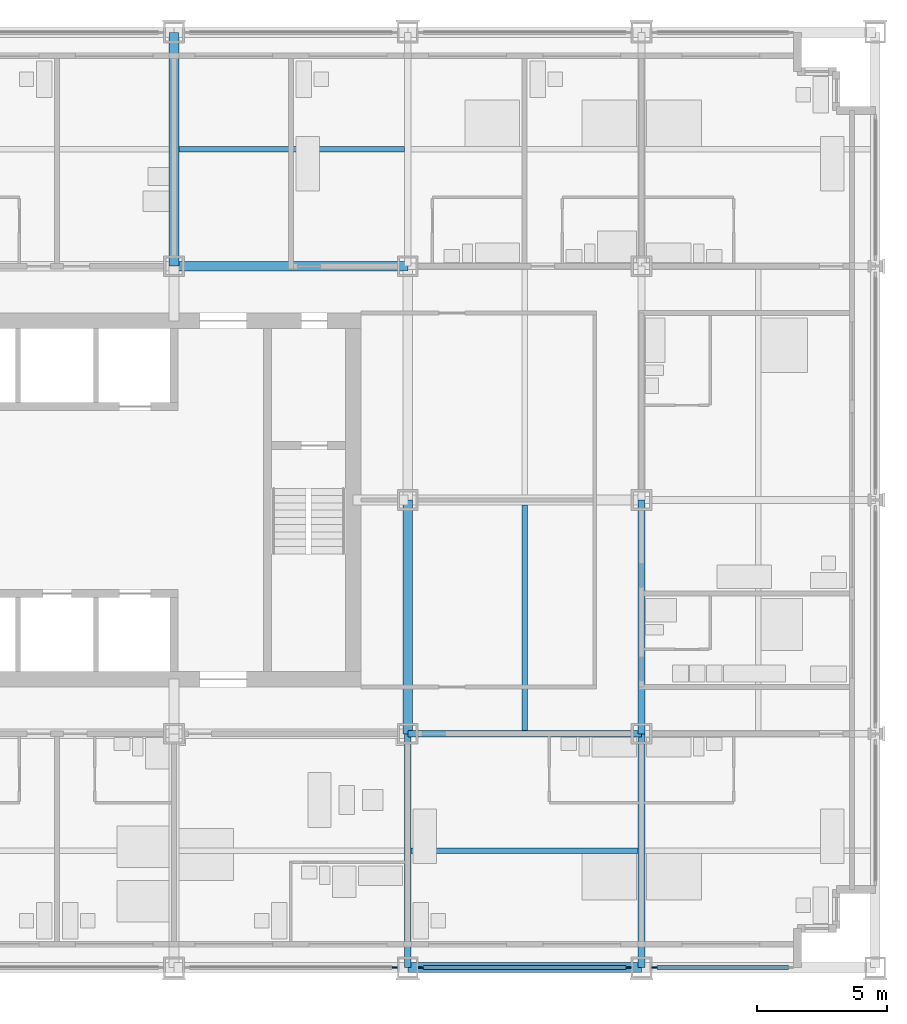
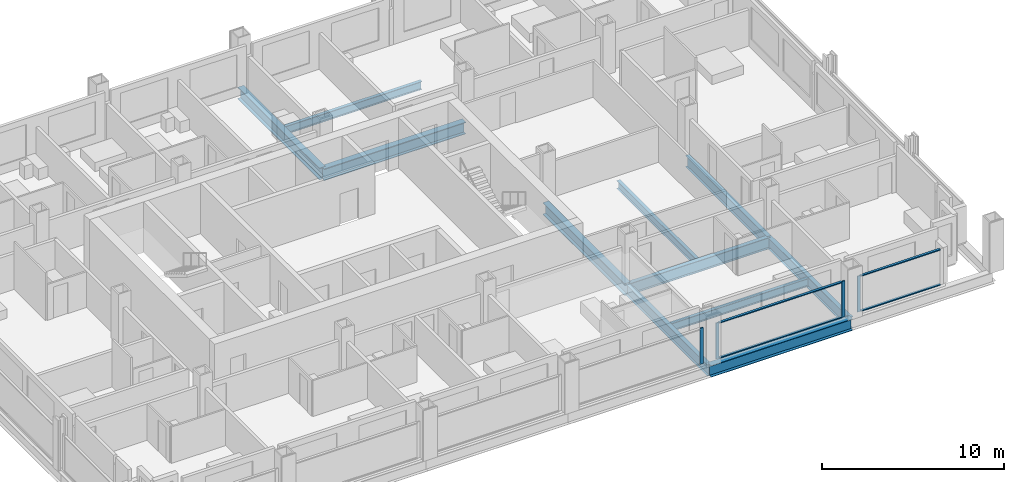
# One storey, part 5 of 18: 11 beams, 8 members, 3 elements without a shape of their own.
"""IFC4 building model written with IfcOpenShell, lengths in metres."""

from ifc_helpers import new_model, si_unit, direction, frame, origin, origin_2d, place, context, subcontext, project, spatial, rectangle, i_section, extrude, material, material_profile, profile_set, type_object, element, aggregate, save


model = new_model("IFC4")

# Units and contexts
model_context = context("Model", 3, precision=1e-05, world=origin(), true_north=direction((0.0, 1.0)))
body_context = subcontext(model_context, "Body", "Model", "MODEL_VIEW")
ifc_project = project(units=[si_unit("LENGTHUNIT", "METRE"), si_unit("AREAUNIT", "SQUARE_METRE"), si_unit("VOLUMEUNIT", "CUBIC_METRE"), si_unit("PLANEANGLEUNIT", "RADIAN"), si_unit("MASSUNIT", "GRAM", prefix="KILO")], contexts=[model_context])

# Site, building, storey
site_placement = place(None, origin())
site = spatial("IfcSite", under=ifc_project, at=site_placement, CompositionType="ELEMENT")
building_placement = place(site_placement, origin())
building = spatial("IfcBuilding", under=site, at=building_placement, Name="Loomwork Tower", CompositionType="ELEMENT")
storey_placement = place(building_placement, frame((0.0, 0.0, 62.0)))
storey = spatial("IfcBuildingStorey", under=building, at=storey_placement, Name="L15", CompositionType="ELEMENT", Elevation=62.0)

# Beams
ifc_material_1 = material(Name="Steel ASTM A992", Category="steel")
ifc_material_profile_1 = material_profile(ifc_material_1, i_section(OverallWidth=0.383544921875, OverallDepth=0.794921875, WebThickness=0.02099609375, FlangeThickness=0.0380859375, at=origin_2d()), Name="W30x235")
ifc_profile_set_1 = profile_set([ifc_material_profile_1], Name="Steel ASTM A992")
beam_type_1 = type_object("IfcBeamType", Name="CORE FLANK GIRDER W30x235", PredefinedType="BEAM", material=ifc_profile_set_1)
for number, where, z_axis, x_axis, name in (
    (1, (27.0, 27.0, -0.597412109375), (1.0, 0.0, 0.0), (0.0, 1.0, 0.0), "Core Flank Girder G/5-G/6 L15"),
    (2, (27.0, 27.0, -0.597412109375), (0.0, 1.0, 0.0), (-1.0, 0.0, 0.0), "Core Flank Girder G/5-H/5 L15"),
    (3, (36.0, 9.0, -0.597412109375), (0.0, 1.0, 0.0), (-1.0, 0.0, 0.0), "Core Flank Girder E/6-F/6 L15"),
):
    element("IfcBeam", number, at=place(storey_placement, frame(where, z_axis=z_axis, x_axis=x_axis)), inside=storey, type_object=beam_type_1, Name=name, PredefinedType="BEAM", context=body_context, shape_type="SweptSolid", body=[
        extrude(i_section(OverallWidth=0.383544921875, OverallDepth=0.794921875, WebThickness=0.02099609375, FlangeThickness=0.0380859375, at=origin_2d()), origin(), (0.0, 0.0, 1.0), 9.0),
    ])
ifc_material_2 = material(Name="Steel ASTM A992", Category="steel")
ifc_material_profile_2 = material_profile(ifc_material_2, i_section(OverallWidth=0.2666015625, OverallDepth=0.761962890625, WebThickness=0.014404296875, FlangeThickness=0.021484375, at=origin_2d()), Name="W30x116")
ifc_profile_set_2 = profile_set([ifc_material_profile_2], Name="Steel ASTM A992")
beam_type_2 = type_object("IfcBeamType", Name="FLOOR GIRDER W30x116", PredefinedType="BEAM", material=ifc_profile_set_2)
for number, where, z_axis, x_axis, name in (
    (4, (36.0, 9.0, -0.5810546875), (1.0, 0.0, 0.0), (0.0, 1.0, 0.0), "Floor Girder E/6-E/7 L15"),
    (5, (36.0, 0.0, -0.5810546875), (0.0, 1.0, 0.0), (-1.0, 0.0, 0.0), "Floor Girder D/6-E/6 L15"),
    (6, (45.0, 0.0, -0.5810546875), (0.0, 1.0, 0.0), (-1.0, 0.0, 0.0), "Floor Girder D/7-E/7 L15"),
    (7, (45.0, 9.0, -0.5810546875), (0.0, 1.0, 0.0), (-1.0, 0.0, 0.0), "Floor Girder E/7-F/7 L15"),
):
    element("IfcBeam", number, at=place(storey_placement, frame(where, z_axis=z_axis, x_axis=x_axis)), inside=storey, type_object=beam_type_2, Name=name, PredefinedType="BEAM", context=body_context, shape_type="SweptSolid", body=[
        extrude(i_section(OverallWidth=0.2666015625, OverallDepth=0.761962890625, WebThickness=0.014404296875, FlangeThickness=0.021484375, at=origin_2d()), origin(), (0.0, 0.0, 1.0), 9.0),
    ])
ifc_material_3 = material(Name="Steel ASTM A992", Category="steel")
ifc_material_profile_3 = material_profile(ifc_material_3, i_section(OverallWidth=0.2109375, OverallDepth=0.53857421875, WebThickness=0.011474609375, FlangeThickness=0.018798828125, at=origin_2d()), Name="W21x73")
ifc_profile_set_3 = profile_set([ifc_material_profile_3], Name="Steel ASTM A992")
beam_type_3 = type_object("IfcBeamType", Name="FLOOR JOIST W21x73", PredefinedType="JOIST", material=ifc_profile_set_3)
beam_1_placement = place(storey_placement, frame((27.19091796875, 31.5, -0.46923828125), z_axis=(1.0, 0.0, 0.0), x_axis=(0.0, 1.0, 0.0)))
element("IfcBeam", 8, at=beam_1_placement, inside=storey, type_object=beam_type_3, Name="Floor Joist 27.000,31.500-36.000,31.500 L15", PredefinedType="JOIST", context=body_context, shape_type="SweptSolid", body=[
    extrude(i_section(OverallWidth=0.2109375, OverallDepth=0.53857421875, WebThickness=0.011474609375, FlangeThickness=0.018798828125, at=origin_2d()), origin(), (0.0, 0.0, 1.0), 8.676025390625),
])
beam_2_placement = place(storey_placement, frame((36.133056640625, 4.5, -0.46923828125), z_axis=(1.0, 0.0, 0.0), x_axis=(0.0, 1.0, 0.0)))
element("IfcBeam", 9, at=beam_2_placement, inside=storey, type_object=beam_type_3, Name="Floor Joist 36.000,4.500-45.000,4.500 L15", PredefinedType="JOIST", context=body_context, shape_type="SweptSolid", body=[
    extrude(i_section(OverallWidth=0.2109375, OverallDepth=0.53857421875, WebThickness=0.011474609375, FlangeThickness=0.018798828125, at=origin_2d()), origin(), (0.0, 0.0, 1.0), 8.73388671875),
])
beam_3_placement = place(storey_placement, frame((40.5, 9.133056640625, -0.46923828125), z_axis=(0.0, 1.0, 0.0), x_axis=(-1.0, 0.0, 0.0)))
element("IfcBeam", 10, at=beam_3_placement, inside=storey, type_object=beam_type_3, Name="Floor Joist 40.500,9.000-40.500,18.000 L15", PredefinedType="JOIST", context=body_context, shape_type="SweptSolid", body=[
    extrude(i_section(OverallWidth=0.2109375, OverallDepth=0.53857421875, WebThickness=0.011474609375, FlangeThickness=0.018798828125, at=origin_2d()), origin(), (0.0, 0.0, 1.0), 8.676025390625),
])

# Curtain wall, member
ifc_material_4 = material(Name="Aluminium curtain wall frame", Category="aluminium")
curtain_wall_type = type_object("IfcCurtainWallType", Name="Outer skin glazing hotel", PredefinedType="NOTDEFINED", material=ifc_material_4)
curtain_wall_1_placement = place(storey_placement, origin())
curtain_wall_1 = element("IfcCurtainWall", 11, at=curtain_wall_1_placement, inside=storey, type_object=curtain_wall_type, Name="Outer skin glazing hotel cw/S-27", PredefinedType="NOTDEFINED")
ifc_material_5 = material(Name="Aluminium curtain wall frame", Category="aluminium")
ifc_material_profile_4 = material_profile(ifc_material_5, rectangle(XDim=0.06494140625, YDim=0.199951171875, at=origin_2d()), Name="AL 65x200")
ifc_profile_set_4 = profile_set([ifc_material_profile_4], Name="Aluminium curtain wall frame")
member_type_1 = type_object("IfcMemberType", Name="Outer skin glazing hotel mullion", PredefinedType="MULLION", material=ifc_profile_set_4)
member_1_placement = place(storey_placement, frame((35.5, 0.0, 0.0), z_axis=(0.0, 0.0, 1.0), x_axis=(0.0, 1.0, 0.0)))
member_1 = element("IfcMember", 12, at=member_1_placement, type_object=member_type_1, Name="CW1 mullion 2", PredefinedType="MULLION", context=body_context, shape_type="SweptSolid", body=[
    extrude(rectangle(XDim=0.06494140625, YDim=0.199951171875, at=origin_2d()), origin(), (0.0, 0.0, 1.0), 2.420166015625),
])
aggregate(curtain_wall_1, [member_1])

# Curtain wall, members
curtain_wall_2_placement = place(storey_placement, origin())
curtain_wall_2 = element("IfcCurtainWall", 13, at=curtain_wall_2_placement, inside=storey, type_object=curtain_wall_type, Name="Outer skin glazing hotel cw/S-36", PredefinedType="NOTDEFINED")
member_2_placement = place(storey_placement, frame((36.5, 0.0, 0.0), z_axis=(0.0, 0.0, 1.0), x_axis=(0.0, 1.0, 0.0)))
member_2 = element("IfcMember", 14, at=member_2_placement, type_object=member_type_1, Name="CW1 mullion 1", PredefinedType="MULLION", context=body_context, shape_type="SweptSolid", body=[
    extrude(rectangle(XDim=0.06494140625, YDim=0.199951171875, at=origin_2d()), origin(), (0.0, 0.0, 1.0), 2.420166015625),
])
member_3_placement = place(storey_placement, frame((44.5, 0.0, 0.0), z_axis=(0.0, 0.0, 1.0), x_axis=(0.0, 1.0, 0.0)))
member_3 = element("IfcMember", 15, at=member_3_placement, type_object=member_type_1, Name="CW1 mullion 2", PredefinedType="MULLION", context=body_context, shape_type="SweptSolid", body=[
    extrude(rectangle(XDim=0.06494140625, YDim=0.199951171875, at=origin_2d()), origin(), (0.0, 0.0, 1.0), 2.420166015625),
])

# Curtain wall, member
curtain_wall_3_placement = place(storey_placement, origin())
curtain_wall_3 = element("IfcCurtainWall", 16, at=curtain_wall_3_placement, inside=storey, type_object=curtain_wall_type, Name="Outer skin glazing hotel cw/S-45", PredefinedType="NOTDEFINED")
member_4_placement = place(storey_placement, frame((45.5, 0.0, 0.0), z_axis=(0.0, 0.0, 1.0), x_axis=(0.0, 1.0, 0.0)))
member_4 = element("IfcMember", 17, at=member_4_placement, type_object=member_type_1, Name="CW1 mullion 1", PredefinedType="MULLION", context=body_context, shape_type="SweptSolid", body=[
    extrude(rectangle(XDim=0.06494140625, YDim=0.199951171875, at=origin_2d()), origin(), (0.0, 0.0, 1.0), 2.420166015625),
])

# Member
ifc_material_6 = material(Name="Aluminium curtain wall frame", Category="aluminium")
ifc_material_profile_5 = material_profile(ifc_material_6, rectangle(XDim=0.14990234375, YDim=0.06494140625, at=origin_2d()), Name="AL 65x150")
ifc_profile_set_5 = profile_set([ifc_material_profile_5], Name="Aluminium curtain wall frame")
member_type_2 = type_object("IfcMemberType", Name="Outer skin glazing hotel transom", PredefinedType="USERDEFINED", material=ifc_profile_set_5)
member_5_placement = place(storey_placement, frame((36.60009765625, 0.0, 0.032470703125), z_axis=(1.0, 0.0, 0.0), x_axis=(0.0, 1.0, 0.0)))
member_5 = element("IfcMember", 18, at=member_5_placement, type_object=member_type_2, Name="CW1 transom 1.1", ObjectType="TRANSOM", PredefinedType="USERDEFINED", context=body_context, shape_type="SweptSolid", body=[
    extrude(rectangle(XDim=0.14990234375, YDim=0.06494140625, at=origin_2d()), origin(), (0.0, 0.0, 1.0), 7.7998046875),
])

member_6_placement = place(storey_placement, frame((36.60009765625, 0.0, 2.3876953125), z_axis=(1.0, 0.0, 0.0), x_axis=(0.0, 1.0, 0.0)))
member_6 = element("IfcMember", 19, at=member_6_placement, type_object=member_type_2, Name="CW1 transom 1.2", ObjectType="TRANSOM", PredefinedType="USERDEFINED", context=body_context, shape_type="SweptSolid", body=[
    extrude(rectangle(XDim=0.14990234375, YDim=0.06494140625, at=origin_2d()), origin(), (0.0, 0.0, 1.0), 7.7998046875),
])

aggregate(curtain_wall_2, [member_2, member_3, member_5, member_6])

member_7_placement = place(storey_placement, frame((45.60009765625, 0.0, 0.032470703125), z_axis=(1.0, 0.0, 0.0), x_axis=(0.0, 1.0, 0.0)))
member_7 = element("IfcMember", 20, at=member_7_placement, type_object=member_type_2, Name="CW1 transom 1.1", ObjectType="TRANSOM", PredefinedType="USERDEFINED", context=body_context, shape_type="SweptSolid", body=[
    extrude(rectangle(XDim=0.14990234375, YDim=0.06494140625, at=origin_2d()), origin(), (0.0, 0.0, 1.0), 5.0498046875),
])

member_8_placement = place(storey_placement, frame((45.60009765625, 0.0, 2.3876953125), z_axis=(1.0, 0.0, 0.0), x_axis=(0.0, 1.0, 0.0)))
member_8 = element("IfcMember", 21, at=member_8_placement, type_object=member_type_2, Name="CW1 transom 1.2", ObjectType="TRANSOM", PredefinedType="USERDEFINED", context=body_context, shape_type="SweptSolid", body=[
    extrude(rectangle(XDim=0.14990234375, YDim=0.06494140625, at=origin_2d()), origin(), (0.0, 0.0, 1.0), 5.0498046875),
])

aggregate(curtain_wall_3, [member_4, member_7, member_8])

# Beam
ifc_material_7 = material(Name="Steel ASTM A992", Category="steel")
ifc_material_profile_6 = material_profile(ifc_material_7, i_section(OverallWidth=0.381103515625, OverallDepth=0.77978515625, WebThickness=0.01806640625, FlangeThickness=0.0302734375, at=origin_2d()), Name="W30x191")
ifc_profile_set_6 = profile_set([ifc_material_profile_6], Name="Steel ASTM A992")
beam_type_4 = type_object("IfcBeamType", Name="SPANDREL GIRDER W30x191", PredefinedType="SPANDREL", material=ifc_profile_set_6)
beam_4_placement = place(storey_placement, frame((36.0, 0.0, -0.58984375), z_axis=(1.0, 0.0, 0.0), x_axis=(0.0, 1.0, 0.0)))
element("IfcBeam", 22, at=beam_4_placement, inside=storey, type_object=beam_type_4, Name="Spandrel Girder D/6-D/7 L15", PredefinedType="SPANDREL", context=body_context, shape_type="SweptSolid", body=[
    extrude(i_section(OverallWidth=0.381103515625, OverallDepth=0.77978515625, WebThickness=0.01806640625, FlangeThickness=0.0302734375, at=origin_2d()), origin(), (0.0, 0.0, 1.0), 9.0),
])

save(model, "model.ifc")
